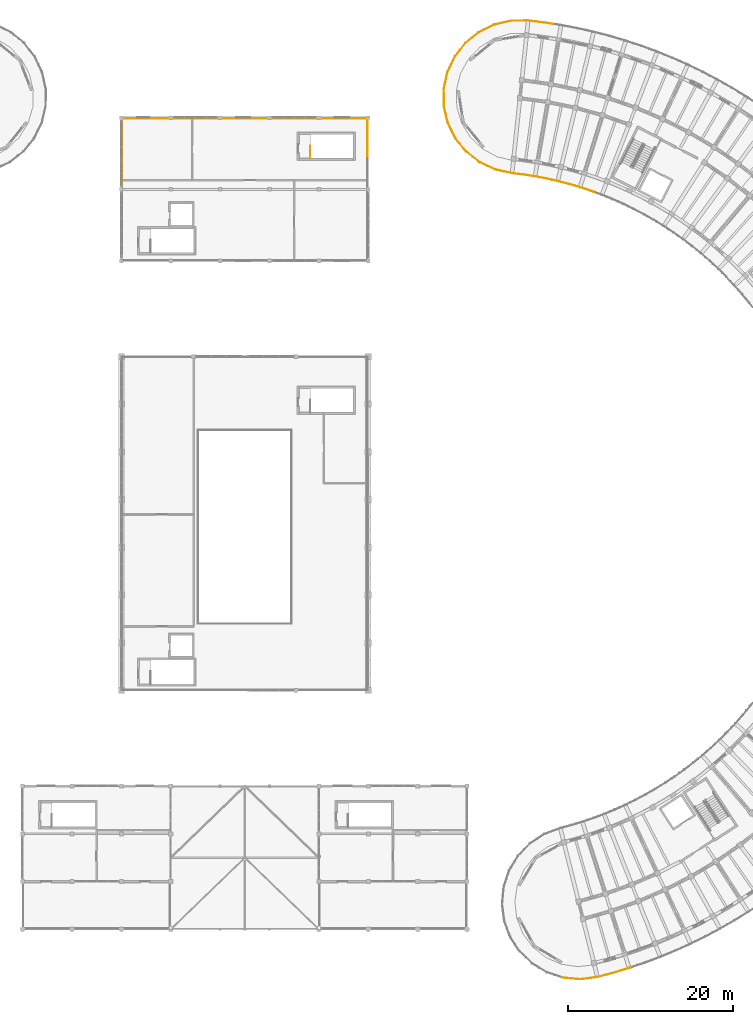
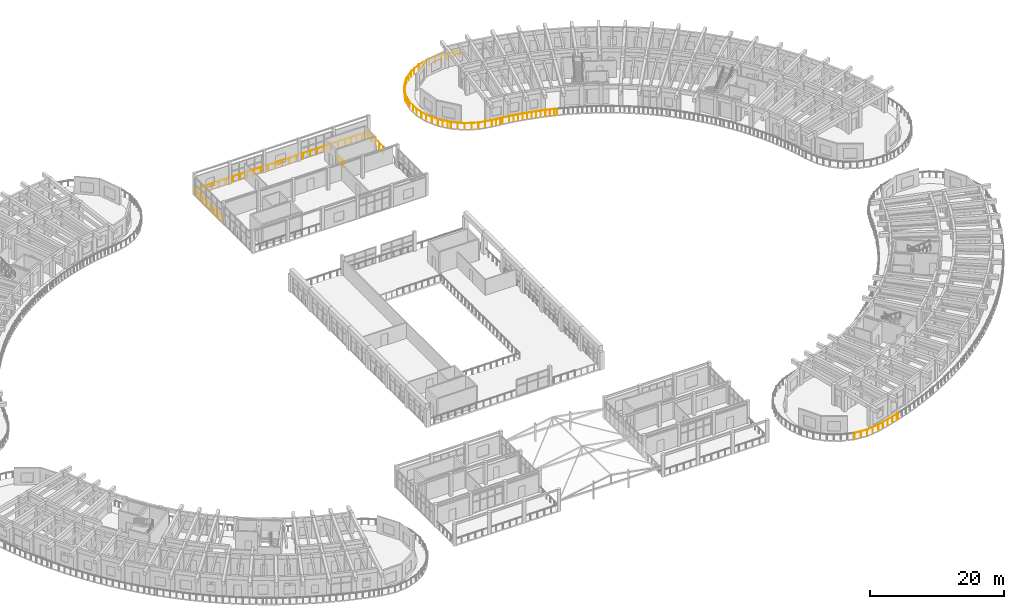
# One storey, part 119 of 128: 12 railings.
"""IFC4 building model written with IfcOpenShell, lengths in metres."""

import ifcopenshell
import ifcopenshell.guid

model = None  # the IFC model being written
_history = None  # IfcOwnerHistory: only IFC2X3 demands one
_inside = {}  # id of a spatial element -> (the spatial element, [elements in it])
_under = {}  # id of a project, library or spatial element -> (it, [spatial elements below it])
_declared = {}  # id of a project -> (the project, [libraries it declares])
_typed = {}  # id of a type object -> (the type object, [elements of that type])
_made_of = {}  # id of a material, layer set ... -> (it, [elements and type objects made of it])


def new_model(schema):
    """Start an empty IFC model of exactly this schema.

    Asked for "IFC4X3", IfcOpenShell would pick the latest addendum, in which some entities
    have other attributes; the version numbers below select the first issue.
    IFC2X3 requires an IfcOwnerHistory on every rooted entity: one is made here for all.
    """
    global model, _history
    if schema == "IFC4X3":
        model = ifcopenshell.file(schema_version=(4, 3, 0, 0))
    else:
        model = ifcopenshell.file(schema=schema)
    _inside.clear()
    _under.clear()
    _declared.clear()
    _typed.clear()
    _made_of.clear()
    _history = None
    if model.schema == "IFC2X3":
        org = make("IfcOrganization", Name="unknown")
        user = make(
            "IfcPersonAndOrganization",
            ThePerson=make("IfcPerson", FamilyName="unknown"),
            TheOrganization=org,
        )
        app = make(
            "IfcApplication",
            ApplicationDeveloper=org,
            Version="unknown",
            ApplicationFullName="unknown",
            ApplicationIdentifier="unknown",
        )
        _history = make(
            "IfcOwnerHistory",
            OwningUser=user,
            OwningApplication=app,
            ChangeAction="ADDED",
            CreationDate=0,
        )
    return model


def make(cls, **values):
    """One entity of the class cls with the attributes given. An attribute that is None is left unset."""
    return model.create_entity(
        cls, **{name: value for name, value in values.items() if value is not None}
    )


def rooted(cls, **values):
    """An entity with a GlobalId (a new one), such as an element, a storey or a relation."""
    return make(cls, GlobalId=ifcopenshell.guid.new(), OwnerHistory=_history, **values)


def si_unit(unit_type, name, prefix=None):
    """IfcSIUnit, for example si_unit("LENGTHUNIT", "METRE", prefix="MILLI")."""
    return make("IfcSIUnit", UnitType=unit_type, Prefix=prefix, Name=name)


def assignment(units):
    """IfcUnitAssignment: the units of a project."""
    return None if units is None else make("IfcUnitAssignment", Units=units)


def point(xyz):
    """IfcCartesianPoint."""
    return None if xyz is None else make("IfcCartesianPoint", Coordinates=xyz)


def direction(xyz):
    """IfcDirection."""
    return None if xyz is None else make("IfcDirection", DirectionRatios=xyz)


def frame(location, z_axis=None, x_axis=None):
    """IfcAxis2Placement3D, a coordinate frame: its origin and axes. An axis left out is left unset."""
    return make(
        "IfcAxis2Placement3D",
        Location=point(location),
        Axis=direction(z_axis),
        RefDirection=direction(x_axis),
    )


def frame_2d(location, x_axis=None):
    """IfcAxis2Placement2D, a coordinate frame in the plane: its origin and x axis."""
    return make(
        "IfcAxis2Placement2D", Location=point(location), RefDirection=direction(x_axis)
    )


def origin():
    """The frame at (0, 0, 0) with its axes left unset."""
    return frame((0.0, 0.0, 0.0))


def origin_2d():
    """The frame at (0, 0) in the plane with its x axis left unset."""
    return frame_2d((0.0, 0.0))


def place(relative_to, where):
    """IfcLocalPlacement: puts the frame where relative to a parent placement (None: the world)."""
    return make(
        "IfcLocalPlacement", PlacementRelTo=relative_to, RelativePlacement=where
    )


def context(
    kind, dimensions, precision=None, world=None, true_north=None, identifier=None
):
    """IfcGeometricRepresentationContext, for example the 3D "Model" context."""
    return make(
        "IfcGeometricRepresentationContext",
        ContextIdentifier=identifier,
        ContextType=kind,
        CoordinateSpaceDimension=dimensions,
        Precision=precision,
        WorldCoordinateSystem=world,
        TrueNorth=true_north,
    )


def subcontext(parent, identifier, kind, view, scale=None):
    """IfcGeometricRepresentationSubContext, for example "Body" below "Model"."""
    return make(
        "IfcGeometricRepresentationSubContext",
        ContextIdentifier=identifier,
        ContextType=kind,
        ParentContext=parent,
        TargetScale=scale,
        TargetView=view,
    )


def project(units=None, contexts=None):
    """IfcProject with its units and contexts."""
    return rooted(
        "IfcProject",
        Name="project",
        RepresentationContexts=contexts,
        UnitsInContext=assignment(units),
    )


def spatial(cls, under=None, at=None, **own):
    """A site, building, storey or space (cls), placed at a placement, below another one or the project."""
    s = rooted(cls, ObjectPlacement=at, **own)
    if under is not None:
        _under.setdefault(under.id(), (under, []))[1].append(s)
    return s


def profile(cls, at=None, kind="AREA", **sizes):
    """A parametric profile (cls). Its sizes go by their IFC names, for example OverallWidth=200.0."""
    return make(cls, ProfileType=kind, Position=at, **sizes)


def circle(**sizes):
    """IfcCircleProfileDef."""
    return profile("IfcCircleProfileDef", **sizes)


def extrude(swept, where, along, depth):
    """IfcExtrudedAreaSolid: the profile swept, set in the frame where, extruded along a direction by depth."""
    return make(
        "IfcExtrudedAreaSolid",
        SweptArea=swept,
        Position=where,
        ExtrudedDirection=direction(along),
        Depth=depth,
    )


def shape(context_of_items, identifier, shape_type, items):
    """IfcShapeRepresentation: the items that make up one representation, for example the "Body"."""
    return make(
        "IfcShapeRepresentation",
        ContextOfItems=context_of_items,
        RepresentationIdentifier=identifier,
        RepresentationType=shape_type,
        Items=items,
    )


def material(Name=None, Category=None):
    """IfcMaterial."""
    return make("IfcMaterial", Name=Name, Category=Category)


def made_of(thing, what):
    """Note that an element or type object is made of a material, layer set ...; save() writes the relation."""
    if what is not None:
        _made_of.setdefault(what.id(), (what, []))[1].append(thing)
    return thing


def type_object(cls, material=None, **own):
    """A type object (cls), such as IfcWallType, which elements share."""
    return made_of(rooted(cls, **own), material)


def element(
    cls,
    number,
    at=None,
    inside=None,
    cuts=None,
    type_object=None,
    material=None,
    context=None,
    identifier="Body",
    shape_type=None,
    held_by="IfcProductDefinitionShape",
    body=None,
    shapes=None,
    **own,
):
    """One element of the class cls, such as IfcWall. Its Tag is "e" and its number.

    at: its placement. inside: the storey or other place that contains it. cuts: it is an
    opening in that element (IfcRelVoidsElement). A single representation is given by context,
    identifier, shape_type and body (its items); several are given by shapes. held_by: the class
    of the entity that holds the representations. save() writes the other relations.
    """
    e = rooted(cls, Tag="e%d" % number, ObjectPlacement=at, **own)
    if body is not None:
        shapes = [shape(context, identifier, shape_type, body)]
    if shapes is not None:
        e.Representation = make(held_by, Representations=shapes)
    if inside is not None:
        _inside.setdefault(inside.id(), (inside, []))[1].append(e)
    if cuts is not None:
        rooted(
            "IfcRelVoidsElement", RelatingBuildingElement=cuts, RelatedOpeningElement=e
        )
    if type_object is not None:
        _typed.setdefault(type_object.id(), (type_object, []))[1].append(e)
    return made_of(e, material)


def aggregate(whole, parts):
    """IfcRelAggregates: a whole, such as a stair, and the parts it consists of."""
    return rooted("IfcRelAggregates", RelatingObject=whole, RelatedObjects=parts)


def save(model, path):
    """Write the relations noted so far, then the file.

    IfcRelAggregates (storeys below a building ...), IfcRelContainedInSpatialStructure (elements
    in a storey), IfcRelDefinesByType, IfcRelAssociatesMaterial and IfcRelDeclares: one each for
    every whole, place, type object, material and project.
    """
    for whole, parts in _under.values():
        aggregate(whole, parts)
    for where, things in _inside.values():
        rooted(
            "IfcRelContainedInSpatialStructure",
            RelatedElements=things,
            RelatingStructure=where,
        )
    for kind, things in _typed.values():
        rooted("IfcRelDefinesByType", RelatedObjects=things, RelatingType=kind)
    for what, things in _made_of.values():
        rooted("IfcRelAssociatesMaterial", RelatedObjects=things, RelatingMaterial=what)
    for by, libraries in _declared.values():
        rooted("IfcRelDeclares", RelatingContext=by, RelatedDefinitions=libraries)
    model.write(path)


model = new_model("IFC4")

# Units and contexts
model_context = context("Model", 3, precision=1e-05, world=origin(), true_north=direction((0.0, 1.0)))
body_context = subcontext(model_context, "Body", "Model", "MODEL_VIEW")
ifc_project = project(units=[si_unit("LENGTHUNIT", "METRE"), si_unit("AREAUNIT", "SQUARE_METRE"), si_unit("VOLUMEUNIT", "CUBIC_METRE"), si_unit("PLANEANGLEUNIT", "RADIAN"), si_unit("MASSUNIT", "GRAM", prefix="KILO")], contexts=[model_context])

# Site, building, storey
site_placement = place(None, origin())
site = spatial("IfcSite", under=ifc_project, at=site_placement, CompositionType="ELEMENT")
building_placement = place(site_placement, origin())
building = spatial("IfcBuilding", under=site, at=building_placement, Name="Tanwirah Colonnade Gardens", CompositionType="ELEMENT")
storey_placement = place(building_placement, frame((0.0, 0.0, 4.760009765625)))
storey = spatial("IfcBuildingStorey", under=building, at=storey_placement, Name="L01", CompositionType="ELEMENT", Elevation=4.760009765625)

# Railings
ifc_material_1 = material(Name="Precast concrete C40/50", Category="concrete")
railing_type_1 = type_object("IfcRailingType", Name="BAL-EXT110", PredefinedType="BALUSTRADE", material=ifc_material_1)
railing_1_placement = place(storey_placement, frame((139.878173828125, 6.161376953125, 0.0)))
element("IfcRailing", 1, at=railing_1_placement, inside=storey, type_object=railing_type_1, Name="Block D L01 Balcony Ribbon Balustrade 17", PredefinedType="BALUSTRADE", context=body_context, shape_type="SweptSolid", body=[
    extrude(circle(Radius=0.02392578125, at=origin_2d()), frame((-0.029541015625, -0.010009765625, 1.076171875), z_axis=(-0.947163067571, -0.320752433241, 0.0), x_axis=(0.320752433241, -0.947163067571, 0.0)), (0.0, 0.0, 1.0), 0.131591796875),
    extrude(circle(Radius=0.02392578125, at=origin_2d()), frame((-0.2138671875, -0.0712890625, 1.076171875), z_axis=(-0.957268624199, -0.289200243991, 0.0), x_axis=(0.289200243991, -0.957268624199, 0.0)), (0.0, 0.0, 1.0), 1.944091796875),
    extrude(circle(Radius=0.02392578125, at=origin_2d()), frame((-2.135009765625, -0.650634765625, 1.076171875), z_axis=(-0.966192437924, -0.257821979083, 0.0), x_axis=(0.257821979083, -0.966192437924, 0.0)), (0.0, 0.0, 1.0), 1.940185546875),
    extrude(circle(Radius=0.02392578125, at=origin_2d()), frame((-4.07080078125, -1.1630859375, 1.076171875), z_axis=(-0.991286952851, -0.131720071011, 0.0), x_axis=(0.131720071011, -0.991286952851, 0.0)), (0.0, 0.0, 1.0), 2.0283203125),
    extrude(circle(Radius=0.02392578125, at=origin_2d()), frame((-6.1435546875, -1.431396484375, 1.076171875), z_axis=(-0.995752995821, 0.0920650385, 0.0), x_axis=(-0.0920650385, -0.995752995821, 0.0)), (0.0, 0.0, 1.0), 2.0244140625),
    extrude(circle(Radius=0.02392578125, at=origin_2d()), frame((-8.22021484375, -1.232421875, 1.076171875), z_axis=(-0.949909728063, 0.312524412696, 0.0), x_axis=(-0.312524412696, -0.949909728063, 0.0)), (0.0, 0.0, 1.0), 0.05615234375),
    extrude(circle(Radius=0.02099609375, at=origin_2d()), origin(), (0.0, 0.0, 1.0), 1.049072265625),
    extrude(circle(Radius=0.02099609375, at=origin_2d()), frame((-0.183837890625, -0.062255859375, 0.0)), (0.0, 0.0, 1.0), 1.049072265625),
    extrude(circle(Radius=0.02099609375, at=origin_2d()), frame((-1.144287109375, -0.3525390625, 0.0)), (0.0, 0.0, 1.0), 1.049072265625),
    extrude(circle(Radius=0.02099609375, at=origin_2d()), frame((-2.104736328125, -0.642578125, 0.0)), (0.0, 0.0, 1.0), 1.049072265625),
    extrude(circle(Radius=0.02099609375, at=origin_2d()), frame((-3.072265625, -0.90087890625, 0.0)), (0.0, 0.0, 1.0), 1.049072265625),
    extrude(circle(Radius=0.02099609375, at=origin_2d()), frame((-4.039794921875, -1.158935546875, 0.0)), (0.0, 0.0, 1.0), 1.049072265625),
    extrude(circle(Radius=0.02099609375, at=origin_2d()), frame((-5.076171875, -1.296630859375, 0.0)), (0.0, 0.0, 1.0), 1.049072265625),
    extrude(circle(Radius=0.02099609375, at=origin_2d()), frame((-6.1123046875, -1.434326171875, 0.0)), (0.0, 0.0, 1.0), 1.049072265625),
    extrude(circle(Radius=0.02099609375, at=origin_2d()), frame((-7.1513671875, -1.33837890625, 0.0)), (0.0, 0.0, 1.0), 1.049072265625),
    extrude(circle(Radius=0.02099609375, at=origin_2d()), frame((-8.1904296875, -1.2421875, 0.0)), (0.0, 0.0, 1.0), 1.049072265625),
    extrude(circle(Radius=0.02099609375, at=origin_2d()), frame((-8.30322265625, -1.205078125, 0.0)), (0.0, 0.0, 1.0), 1.049072265625),
])
railing_type_2 = type_object("IfcRailingType", Name="BAL-EXT112", PredefinedType="BALUSTRADE", material=ifc_material_1)
railing_2_placement = place(storey_placement, frame((135.417236328125, 100.3662109375, 0.0)))
element("IfcRailing", 2, at=railing_2_placement, inside=storey, type_object=railing_type_2, Name="Block B L01 Balcony Ribbon Balustrade 6", PredefinedType="BALUSTRADE", context=body_context, shape_type="SweptSolid", body=[
    extrude(circle(Radius=0.02392578125, at=origin_2d()), frame((-0.029296875, 0.0107421875, 1.09619140625), z_axis=(-0.938686381743, 0.344772209916, 0.0), x_axis=(-0.344772209916, -0.938686381743, 0.0)), (0.0, 0.0, 1.0), 0.325439453125),
    extrude(circle(Radius=0.02392578125, at=origin_2d()), frame((-0.396728515625, 0.14453125, 1.09619140625), z_axis=(-0.949531842797, 0.313670654533, 0.0), x_axis=(-0.313670654533, -0.949531842797, 0.0)), (0.0, 0.0, 1.0), 1.341552734375),
    extrude(circle(Radius=0.02392578125, at=origin_2d()), frame((-1.73291015625, 0.584716796875, 1.09619140625), z_axis=(-0.959362733044, 0.282175736812, 0.0), x_axis=(-0.282175736812, -0.959362733044, 0.0)), (0.0, 0.0, 1.0), 1.341796875),
    extrude(circle(Radius=0.02392578125, at=origin_2d()), frame((-3.0830078125, 0.980712890625, 1.09619140625), z_axis=(-0.968157809477, 0.250340679771, 0.0), x_axis=(-0.250340679771, -0.968157809477, 0.0)), (0.0, 0.0, 1.0), 1.341796875),
    extrude(circle(Radius=0.02392578125, at=origin_2d()), frame((-4.4453125, 1.33203125, 1.09619140625), z_axis=(-0.975875211082, 0.218329046156, 0.0), x_axis=(-0.218329046156, -0.975875211082, 0.0)), (0.0, 0.0, 1.0), 1.342041015625),
    extrude(circle(Radius=0.02392578125, at=origin_2d()), frame((-5.818603515625, 1.63818359375, 1.09619140625), z_axis=(-0.982547926195, 0.186009603862, 0.0), x_axis=(-0.186009603862, -0.982547926195, 0.0)), (0.0, 0.0, 1.0), 1.341796875),
    extrude(circle(Radius=0.02392578125, at=origin_2d()), frame((-7.201416015625, 1.89892578125, 1.09619140625), z_axis=(-0.988128738312, 0.153628111108, 0.0), x_axis=(-0.153628111108, -0.988128738312, 0.0)), (0.0, 0.0, 1.0), 1.01171875),
    extrude(circle(Radius=0.02099609375, at=origin_2d()), origin(), (0.0, 0.0, 1.0), 1.069091796875),
    extrude(circle(Radius=0.02099609375, at=origin_2d()), frame((-0.3642578125, 0.1337890625, 0.0)), (0.0, 0.0, 1.0), 1.069091796875),
    extrude(circle(Radius=0.02099609375, at=origin_2d()), frame((-1.03369140625, 0.35498046875, 0.0)), (0.0, 0.0, 1.0), 1.069091796875),
    extrude(circle(Radius=0.02099609375, at=origin_2d()), frame((-1.7001953125, 0.5751953125, 0.0)), (0.0, 0.0, 1.0), 1.069091796875),
    extrude(circle(Radius=0.02099609375, at=origin_2d()), frame((-2.37646484375, 0.77392578125, 0.0)), (0.0, 0.0, 1.0), 1.069091796875),
    extrude(circle(Radius=0.02099609375, at=origin_2d()), frame((-3.050048828125, 0.97216796875, 0.0)), (0.0, 0.0, 1.0), 1.069091796875),
    extrude(circle(Radius=0.02099609375, at=origin_2d()), frame((-3.732421875, 1.148681640625, 0.0)), (0.0, 0.0, 1.0), 1.069091796875),
    extrude(circle(Radius=0.02099609375, at=origin_2d()), frame((-4.412353515625, 1.324462890625, 0.0)), (0.0, 0.0, 1.0), 1.069091796875),
    extrude(circle(Radius=0.02099609375, at=origin_2d()), frame((-5.10009765625, 1.478515625, 0.0)), (0.0, 0.0, 1.0), 1.069091796875),
    extrude(circle(Radius=0.02099609375, at=origin_2d()), frame((-5.785400390625, 1.6318359375, 0.0)), (0.0, 0.0, 1.0), 1.069091796875),
    extrude(circle(Radius=0.02099609375, at=origin_2d()), frame((-6.477783203125, 1.762939453125, 0.0)), (0.0, 0.0, 1.0), 1.069091796875),
    extrude(circle(Radius=0.02099609375, at=origin_2d()), frame((-7.167724609375, 1.8935546875, 0.0)), (0.0, 0.0, 1.0), 1.069091796875),
    extrude(circle(Radius=0.02099609375, at=origin_2d()), frame((-8.23193359375, 2.05908203125, 0.0)), (0.0, 0.0, 1.0), 1.069091796875),
])
railing_3_placement = place(storey_placement, frame((127.185302734375, 102.42529296875, 0.0)))
element("IfcRailing", 3, at=railing_3_placement, inside=storey, type_object=railing_type_2, Name="Block B L01 Balcony Ribbon Balustrade 7", PredefinedType="BALUSTRADE", context=body_context, shape_type="SweptSolid", body=[
    extrude(circle(Radius=0.02392578125, at=origin_2d()), frame((-0.031005859375, 0.0048828125, 1.09619140625), z_axis=(-0.988208661011, 0.153113168285, 0.0), x_axis=(-0.153113168285, -0.988208661011, 0.0)), (0.0, 0.0, 1.0), 0.267578125),
    extrude(circle(Radius=0.02392578125, at=origin_2d()), frame((-0.359619140625, 0.0546875, 1.09619140625), z_axis=(-0.99267751715, 0.120794647829, 0.0), x_axis=(-0.120794647829, -0.99267751715, 0.0)), (0.0, 0.0, 1.0), 1.338134765625),
    extrude(circle(Radius=0.02392578125, at=origin_2d()), frame((-1.74951171875, 0.22705078125, 1.09619140625), z_axis=(-0.976545428659, 0.215311462222, 0.0), x_axis=(-0.215311462222, -0.976545428659, 0.0)), (0.0, 0.0, 1.0), 2.029541015625),
    extrude(circle(Radius=0.02392578125, at=origin_2d()), frame((-3.790283203125, 0.68408203125, 1.09619140625), z_axis=(-0.904194685142, 0.427120558346, 0.0), x_axis=(-0.427120558346, -0.904194685142, 0.0)), (0.0, 0.0, 1.0), 2.0244140625),
    extrude(circle(Radius=0.02392578125, at=origin_2d()), frame((-5.673583984375, 1.581298828125, 1.09619140625), z_axis=(-0.786509098493, 0.617578689713, 0.0), x_axis=(-0.617578689713, -0.786509098493, 0.0)), (0.0, 0.0, 1.0), 2.0244140625),
    extrude(circle(Radius=0.02392578125, at=origin_2d()), frame((-7.31005859375, 2.875244140625, 1.09619140625), z_axis=(-0.62914215078, 0.777290263744, 0.0), x_axis=(-0.777290263744, -0.62914215078, 0.0)), (0.0, 0.0, 1.0), 0.4384765625),
    extrude(circle(Radius=0.02099609375, at=origin_2d()), origin(), (0.0, 0.0, 1.0), 1.069091796875),
    extrude(circle(Radius=0.02099609375, at=origin_2d()), frame((-0.326171875, 0.050537109375, 0.0)), (0.0, 0.0, 1.0), 1.069091796875),
    extrude(circle(Radius=0.02099609375, at=origin_2d()), frame((-1.02392578125, 0.1357421875, 0.0)), (0.0, 0.0, 1.0), 1.069091796875),
    extrude(circle(Radius=0.02099609375, at=origin_2d()), frame((-1.718994140625, 0.22021484375, 0.0)), (0.0, 0.0, 1.0), 1.069091796875),
    extrude(circle(Radius=0.02099609375, at=origin_2d()), frame((-2.740478515625, 0.4453125, 0.0)), (0.0, 0.0, 1.0), 1.069091796875),
    extrude(circle(Radius=0.02099609375, at=origin_2d()), frame((-3.761962890625, 0.670654296875, 0.0)), (0.0, 0.0, 1.0), 1.069091796875),
    extrude(circle(Radius=0.02099609375, at=origin_2d()), frame((-4.70556640625, 1.1162109375, 0.0)), (0.0, 0.0, 1.0), 1.069091796875),
    extrude(circle(Radius=0.02099609375, at=origin_2d()), frame((-5.64892578125, 1.56201171875, 0.0)), (0.0, 0.0, 1.0), 1.069091796875),
    extrude(circle(Radius=0.02099609375, at=origin_2d()), frame((-6.4697265625, 2.20654296875, 0.0)), (0.0, 0.0, 1.0), 1.069091796875),
    extrude(circle(Radius=0.02099609375, at=origin_2d()), frame((-7.290283203125, 2.850830078125, 0.0)), (0.0, 0.0, 1.0), 1.069091796875),
    extrude(circle(Radius=0.02099609375, at=origin_2d()), frame((-7.60546875, 3.240234375, 0.0)), (0.0, 0.0, 1.0), 1.069091796875),
])
railing_4_placement = place(storey_placement, frame((119.579833984375, 105.66552734375, 0.0)))
element("IfcRailing", 4, at=railing_4_placement, inside=storey, type_object=railing_type_2, Name="Block B L01 Balcony Ribbon Balustrade 8", PredefinedType="BALUSTRADE", context=body_context, shape_type="SweptSolid", body=[
    extrude(circle(Radius=0.02392578125, at=origin_2d()), frame((-0.019775390625, 0.0244140625, 1.09619140625), z_axis=(-0.629339934839, 0.777130134801, 0.0), x_axis=(-0.777130134801, -0.629339934839, 0.0)), (0.0, 0.0, 1.0), 1.5234375),
    extrude(circle(Radius=0.02392578125, at=origin_2d()), frame((-1.01171875, 1.260498046875, 1.09619140625), z_axis=(-0.440650910727, 0.89767854763, 0.0), x_axis=(-0.89767854763, -0.440650910727, 0.0)), (0.0, 0.0, 1.0), 2.024658203125),
    extrude(circle(Radius=0.02392578125, at=origin_2d()), frame((-1.9248046875, 3.136474609375, 1.09619140625), z_axis=(-0.229769597654, 0.973245052386, 0.0), x_axis=(-0.973245052386, -0.229769597654, 0.0)), (0.0, 0.0, 1.0), 2.0244140625),
    extrude(circle(Radius=0.02392578125, at=origin_2d()), frame((-2.3974609375, 5.168212890625, 1.09619140625), z_axis=(-0.007486921648, 0.999971972609, 0.0), x_axis=(-0.999971972609, -0.007486921648, 0.0)), (0.0, 0.0, 1.0), 2.0244140625),
    extrude(circle(Radius=0.02392578125, at=origin_2d()), frame((-2.406005859375, 7.25439453125, 1.09619140625), z_axis=(0.215268146696, 0.97655497798, 0.0), x_axis=(-0.97655497798, 0.215268146696, 0.0)), (0.0, 0.0, 1.0), 0.5908203125),
    extrude(circle(Radius=0.02099609375, at=origin_2d()), origin(), (0.0, 0.0, 1.0), 1.069091796875),
    extrude(circle(Radius=0.02099609375, at=origin_2d()), frame((-0.4990234375, 0.6162109375, 0.0)), (0.0, 0.0, 1.0), 1.069091796875),
    extrude(circle(Radius=0.02099609375, at=origin_2d()), frame((-0.998046875, 1.232421875, 0.0)), (0.0, 0.0, 1.0), 1.069091796875),
    extrude(circle(Radius=0.02099609375, at=origin_2d()), frame((-1.4580078125, 2.169189453125, 0.0)), (0.0, 0.0, 1.0), 1.069091796875),
    extrude(circle(Radius=0.02099609375, at=origin_2d()), frame((-1.917724609375, 3.10595703125, 0.0)), (0.0, 0.0, 1.0), 1.069091796875),
    extrude(circle(Radius=0.02099609375, at=origin_2d()), frame((-2.157470703125, 4.12158203125, 0.0)), (0.0, 0.0, 1.0), 1.069091796875),
    extrude(circle(Radius=0.02099609375, at=origin_2d()), frame((-2.397216796875, 5.136962890625, 0.0)), (0.0, 0.0, 1.0), 1.069091796875),
    extrude(circle(Radius=0.02099609375, at=origin_2d()), frame((-2.405029296875, 6.180419921875, 0.0)), (0.0, 0.0, 1.0), 1.069091796875),
    extrude(circle(Radius=0.02099609375, at=origin_2d()), frame((-2.412841796875, 7.223876953125, 0.0)), (0.0, 0.0, 1.0), 1.069091796875),
    extrude(circle(Radius=0.02099609375, at=origin_2d()), frame((-2.272216796875, 7.86181640625, 0.0)), (0.0, 0.0, 1.0), 1.069091796875),
])
railing_5_placement = place(storey_placement, frame((117.3076171875, 113.52734375, 0.0)))
element("IfcRailing", 5, at=railing_5_placement, inside=storey, type_object=railing_type_2, Name="Block B L01 Balcony Ribbon Balustrade 9", PredefinedType="BALUSTRADE", context=body_context, shape_type="SweptSolid", body=[
    extrude(circle(Radius=0.02392578125, at=origin_2d()), frame((0.0068359375, 0.030517578125, 1.09619140625), z_axis=(0.215271130249, 0.976554320292, 0.0), x_axis=(-0.976554320292, 0.215271130249, 0.0)), (0.0, 0.0, 1.0), 1.37109375),
    extrude(circle(Radius=0.02392578125, at=origin_2d()), frame((0.322021484375, 1.42822265625, 1.09619140625), z_axis=(0.427120558346, 0.904194685142, 0.0), x_axis=(-0.904194685142, 0.427120558346, 0.0)), (0.0, 0.0, 1.0), 2.0244140625),
    extrude(circle(Radius=0.02392578125, at=origin_2d()), frame((1.21923828125, 3.3115234375, 1.09619140625), z_axis=(0.617578689713, 0.786509098493, 0.0), x_axis=(-0.786509098493, 0.617578689713, 0.0)), (0.0, 0.0, 1.0), 2.0244140625),
    extrude(circle(Radius=0.02392578125, at=origin_2d()), frame((2.51318359375, 4.947998046875, 1.09619140625), z_axis=(0.777168580711, 0.629292457571, 0.0), x_axis=(-0.629292457571, 0.777168580711, 0.0)), (0.0, 0.0, 1.0), 2.0244140625),
    extrude(circle(Radius=0.02392578125, at=origin_2d()), frame((4.138671875, 6.255126953125, 1.09619140625), z_axis=(0.897735153501, 0.440535576507, 0.0), x_axis=(-0.440535576507, 0.897735153501, 0.0)), (0.0, 0.0, 1.0), 0.7431640625),
    extrude(circle(Radius=0.02099609375, at=origin_2d()), origin(), (0.0, 0.0, 1.0), 1.069091796875),
    extrude(circle(Radius=0.02099609375, at=origin_2d()), frame((0.154296875, 0.699951171875, 0.0)), (0.0, 0.0, 1.0), 1.069091796875),
    extrude(circle(Radius=0.02099609375, at=origin_2d()), frame((0.30859375, 1.39990234375, 0.0)), (0.0, 0.0, 1.0), 1.069091796875),
    extrude(circle(Radius=0.02099609375, at=origin_2d()), frame((0.75439453125, 2.34326171875, 0.0)), (0.0, 0.0, 1.0), 1.069091796875),
    extrude(circle(Radius=0.02099609375, at=origin_2d()), frame((1.199951171875, 3.286865234375, 0.0)), (0.0, 0.0, 1.0), 1.069091796875),
    extrude(circle(Radius=0.02099609375, at=origin_2d()), frame((1.84423828125, 4.107421875, 0.0)), (0.0, 0.0, 1.0), 1.069091796875),
    extrude(circle(Radius=0.02099609375, at=origin_2d()), frame((2.48876953125, 4.92822265625, 0.0)), (0.0, 0.0, 1.0), 1.069091796875),
    extrude(circle(Radius=0.02099609375, at=origin_2d()), frame((3.2998046875, 5.5849609375, 0.0)), (0.0, 0.0, 1.0), 1.069091796875),
    extrude(circle(Radius=0.02099609375, at=origin_2d()), frame((4.110595703125, 6.241455078125, 0.0)), (0.0, 0.0, 1.0), 1.069091796875),
    extrude(circle(Radius=0.02099609375, at=origin_2d()), frame((4.833984375, 6.596435546875, 0.0)), (0.0, 0.0, 1.0), 1.069091796875),
])
railing_6_placement = place(storey_placement, frame((122.1416015625, 120.123779296875, 0.0)))
element("IfcRailing", 6, at=railing_6_placement, inside=storey, type_object=railing_type_2, Name="Block B L01 Balcony Ribbon Balustrade 10", PredefinedType="BALUSTRADE", context=body_context, shape_type="SweptSolid", body=[
    extrude(circle(Radius=0.02392578125, at=origin_2d()), frame((0.028076171875, 0.013671875, 1.09619140625), z_axis=(0.897642941236, 0.440723439414, 0.0), x_axis=(-0.440723439414, 0.897642941236, 0.0)), (0.0, 0.0, 1.0), 1.21875),
    extrude(circle(Radius=0.02392578125, at=origin_2d()), frame((1.1806640625, 0.57177734375, 1.09619140625), z_axis=(0.973245052386, 0.229769597654, 0.0), x_axis=(-0.229769597654, 0.973245052386, 0.0)), (0.0, 0.0, 1.0), 2.0244140625),
    extrude(circle(Radius=0.02392578125, at=origin_2d()), frame((3.21240234375, 1.04443359375, 1.09619140625), z_axis=(0.999972077233, 0.00747293472, 0.0), x_axis=(-0.00747293472, 0.999972077233, 0.0)), (0.0, 0.0, 1.0), 2.0283203125),
    extrude(circle(Radius=0.02392578125, at=origin_2d()), frame((5.302978515625, 1.05615234375, 1.09619140625), z_axis=(0.992665725565, -0.120891510403, 0.0), x_axis=(0.120891510403, 0.992665725565, 0.0)), (0.0, 0.0, 1.0), 1.955078125),
    extrude(circle(Radius=0.02392578125, at=origin_2d()), frame((7.3056640625, 0.81103515625, 1.09619140625), z_axis=(0.988133367747, -0.153598331844, 0.0), x_axis=(0.153598331844, 0.988133367747, 0.0)), (0.0, 0.0, 1.0), 0.961181640625),
    extrude(circle(Radius=0.02099609375, at=origin_2d()), origin(), (0.0, 0.0, 1.0), 1.069091796875),
    extrude(circle(Radius=0.02099609375, at=origin_2d()), frame((1.150146484375, 0.564697265625, 0.0)), (0.0, 0.0, 1.0), 1.069091796875),
    extrude(circle(Radius=0.02099609375, at=origin_2d()), frame((2.16552734375, 0.804443359375, 0.0)), (0.0, 0.0, 1.0), 1.069091796875),
    extrude(circle(Radius=0.02099609375, at=origin_2d()), frame((3.18115234375, 1.044189453125, 0.0)), (0.0, 0.0, 1.0), 1.069091796875),
    extrude(circle(Radius=0.02099609375, at=origin_2d()), frame((4.2265625, 1.052001953125, 0.0)), (0.0, 0.0, 1.0), 1.069091796875),
    extrude(circle(Radius=0.02099609375, at=origin_2d()), frame((5.27197265625, 1.059814453125, 0.0)), (0.0, 0.0, 1.0), 1.069091796875),
    extrude(circle(Radius=0.02099609375, at=origin_2d()), frame((6.2734375, 0.93798828125, 0.0)), (0.0, 0.0, 1.0), 1.069091796875),
    extrude(circle(Radius=0.02099609375, at=origin_2d()), frame((7.274658203125, 0.81591796875, 0.0)), (0.0, 0.0, 1.0), 1.069091796875),
    extrude(circle(Radius=0.02099609375, at=origin_2d()), frame((8.2861328125, 0.65869140625, 0.0)), (0.0, 0.0, 1.0), 1.069091796875),
])
ifc_material_2 = material(Name="Bronze architectural steel and laminated glass balustrade", Category="steel")
railing_type_3 = type_object("IfcRailingType", Name="BAL-GAL115", PredefinedType="BALUSTRADE", material=ifc_material_2)
railing_7_placement = place(storey_placement, frame((107.919921875, 104.739990234375, 0.0)))
element("IfcRailing", 7, at=railing_7_placement, inside=storey, type_object=railing_type_3, Name="Nursery Pavilion L01 Perimeter Balustrade 6", PredefinedType="BALUSTRADE", context=body_context, shape_type="SweptSolid", body=[
    extrude(circle(Radius=0.02392578125, at=origin_2d()), frame((0.0, 0.03125, 1.1259765625), z_axis=(0.0, 1.0, 0.0), x_axis=(-1.0, 0.0, 0.0)), (0.0, 0.0, 1.0), 4.517578125),
    extrude(circle(Radius=0.02392578125, at=origin_2d()), frame((-0.03125, 4.580078125, 1.1259765625), z_axis=(-1.0, 0.0, 0.0), x_axis=(0.0, -1.0, 0.0)), (0.0, 0.0, 1.0), 3.857421875),
    extrude(circle(Radius=0.02099609375, at=origin_2d()), origin(), (0.0, 0.0, 1.0), 1.098876953125),
    extrude(circle(Radius=0.02099609375, at=origin_2d()), frame((0.0, 1.14501953125, 0.0)), (0.0, 0.0, 1.0), 1.098876953125),
    extrude(circle(Radius=0.02099609375, at=origin_2d()), frame((0.0, 2.2900390625, 0.0)), (0.0, 0.0, 1.0), 1.098876953125),
    extrude(circle(Radius=0.02099609375, at=origin_2d()), frame((0.0, 3.43505859375, 0.0)), (0.0, 0.0, 1.0), 1.098876953125),
    extrude(circle(Radius=0.02099609375, at=origin_2d()), frame((0.0, 4.580078125, 0.0)), (0.0, 0.0, 1.0), 1.098876953125),
    extrude(circle(Radius=0.02099609375, at=origin_2d()), frame((-0.97998046875, 4.580078125, 0.0)), (0.0, 0.0, 1.0), 1.098876953125),
    extrude(circle(Radius=0.02099609375, at=origin_2d()), frame((-1.9599609375, 4.580078125, 0.0)), (0.0, 0.0, 1.0), 1.098876953125),
    extrude(circle(Radius=0.02099609375, at=origin_2d()), frame((-2.93994140625, 4.580078125, 0.0)), (0.0, 0.0, 1.0), 1.098876953125),
    extrude(circle(Radius=0.02099609375, at=origin_2d()), frame((-3.919921875, 4.580078125, 0.0)), (0.0, 0.0, 1.0), 1.098876953125),
])
for number, where, name in (
    (8, (104.0, 109.320068359375, 0.0), "Nursery Pavilion L01 Perimeter Balustrade 7"),
    (9, (95.5, 109.320068359375, 0.0), "Nursery Pavilion L01 Perimeter Balustrade 8"),
    (10, (87.0, 109.320068359375, 0.0), "Nursery Pavilion L01 Perimeter Balustrade 9"),
):
    element("IfcRailing", number, at=place(storey_placement, frame(where)), inside=storey, type_object=railing_type_3, Name=name, PredefinedType="BALUSTRADE", context=body_context, shape_type="SweptSolid", body=[
        extrude(circle(Radius=0.02392578125, at=origin_2d()), frame((-0.03125, 0.0, 1.1259765625), z_axis=(-1.0, 0.0, 0.0), x_axis=(0.0, -1.0, 0.0)), (0.0, 0.0, 1.0), 8.4375),
        extrude(circle(Radius=0.02099609375, at=origin_2d()), origin(), (0.0, 0.0, 1.0), 1.098876953125),
        extrude(circle(Radius=0.02099609375, at=origin_2d()), frame((-1.21435546875, 0.0, 0.0)), (0.0, 0.0, 1.0), 1.098876953125),
        extrude(circle(Radius=0.02099609375, at=origin_2d()), frame((-2.428466796875, 0.0, 0.0)), (0.0, 0.0, 1.0), 1.098876953125),
        extrude(circle(Radius=0.02099609375, at=origin_2d()), frame((-3.642822265625, 0.0, 0.0)), (0.0, 0.0, 1.0), 1.098876953125),
        extrude(circle(Radius=0.02099609375, at=origin_2d()), frame((-4.857177734375, 0.0, 0.0)), (0.0, 0.0, 1.0), 1.098876953125),
        extrude(circle(Radius=0.02099609375, at=origin_2d()), frame((-6.071533203125, 0.0, 0.0)), (0.0, 0.0, 1.0), 1.098876953125),
        extrude(circle(Radius=0.02099609375, at=origin_2d()), frame((-7.28564453125, 0.0, 0.0)), (0.0, 0.0, 1.0), 1.098876953125),
        extrude(circle(Radius=0.02099609375, at=origin_2d()), frame((-8.5, 0.0, 0.0)), (0.0, 0.0, 1.0), 1.098876953125),
    ])
railing_8_placement = place(storey_placement, frame((78.5, 109.320068359375, 0.0)))
element("IfcRailing", 11, at=railing_8_placement, inside=storey, type_object=railing_type_3, Name="Nursery Pavilion L01 Perimeter Balustrade 10", PredefinedType="BALUSTRADE", context=body_context, shape_type="SweptSolid", body=[
    extrude(circle(Radius=0.02392578125, at=origin_2d()), frame((-0.03125, 0.0, 1.1259765625), z_axis=(-1.0, 0.0, 0.0), x_axis=(0.0, -1.0, 0.0)), (0.0, 0.0, 1.0), 0.357421875),
    extrude(circle(Radius=0.02392578125, at=origin_2d()), frame((-0.419921875, -0.03125, 1.1259765625), z_axis=(0.0, -1.0, 0.0), x_axis=(1.0, 0.0, 0.0)), (0.0, 0.0, 1.0), 8.017578125),
    extrude(circle(Radius=0.02099609375, at=origin_2d()), origin(), (0.0, 0.0, 1.0), 1.098876953125),
    extrude(circle(Radius=0.02099609375, at=origin_2d()), frame((-0.419921875, 0.0, 0.0)), (0.0, 0.0, 1.0), 1.098876953125),
    extrude(circle(Radius=0.02099609375, at=origin_2d()), frame((-0.419921875, -1.154296875, 0.0)), (0.0, 0.0, 1.0), 1.098876953125),
    extrude(circle(Radius=0.02099609375, at=origin_2d()), frame((-0.419921875, -2.30859375, 0.0)), (0.0, 0.0, 1.0), 1.098876953125),
    extrude(circle(Radius=0.02099609375, at=origin_2d()), frame((-0.419921875, -3.462890625, 0.0)), (0.0, 0.0, 1.0), 1.098876953125),
    extrude(circle(Radius=0.02099609375, at=origin_2d()), frame((-0.419921875, -4.6171875, 0.0)), (0.0, 0.0, 1.0), 1.098876953125),
    extrude(circle(Radius=0.02099609375, at=origin_2d()), frame((-0.419921875, -5.771484375, 0.0)), (0.0, 0.0, 1.0), 1.098876953125),
    extrude(circle(Radius=0.02099609375, at=origin_2d()), frame((-0.419921875, -6.92578125, 0.0)), (0.0, 0.0, 1.0), 1.098876953125),
    extrude(circle(Radius=0.02099609375, at=origin_2d()), frame((-0.419921875, -8.080078125, 0.0)), (0.0, 0.0, 1.0), 1.098876953125),
])
ifc_material_3 = material(Name="Powder-coated galvanized steel", Category="steel")
railing_type_4 = type_object("IfcRailingType", Name="GRD-ST110", PredefinedType="GUARDRAIL", material=ifc_material_3)
railing_9_placement = place(storey_placement, frame((100.949951171875, 104.449951171875, 0.0)))
element("IfcRailing", 12, at=railing_9_placement, inside=storey, type_object=railing_type_4, Name="L01 ST-N2 top well guard 1", PredefinedType="GUARDRAIL", context=body_context, shape_type="SweptSolid", body=[
    extrude(circle(Radius=0.02392578125, at=origin_2d()), frame((0.0, 0.03125, 1.076171875), z_axis=(0.0, 1.0, 0.0), x_axis=(-1.0, 0.0, 0.0)), (0.0, 0.0, 1.0), 1.4775390625),
    extrude(circle(Radius=0.02099609375, at=origin_2d()), origin(), (0.0, 0.0, 1.0), 1.049072265625),
    extrude(circle(Radius=0.02099609375, at=origin_2d()), frame((0.0, 0.77001953125, 0.0)), (0.0, 0.0, 1.0), 1.049072265625),
    extrude(circle(Radius=0.02099609375, at=origin_2d()), frame((0.0, 1.5400390625, 0.0)), (0.0, 0.0, 1.0), 1.049072265625),
])

save(model, "model.ifc")
